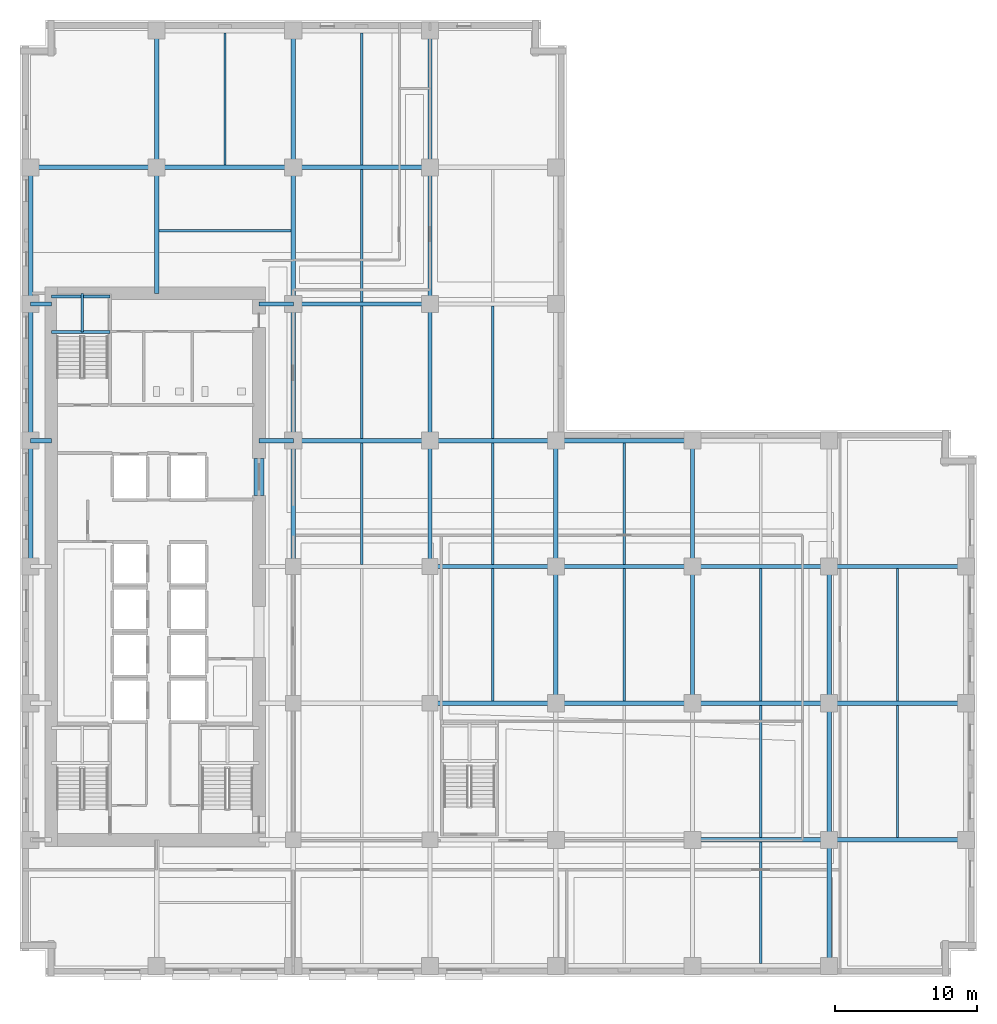
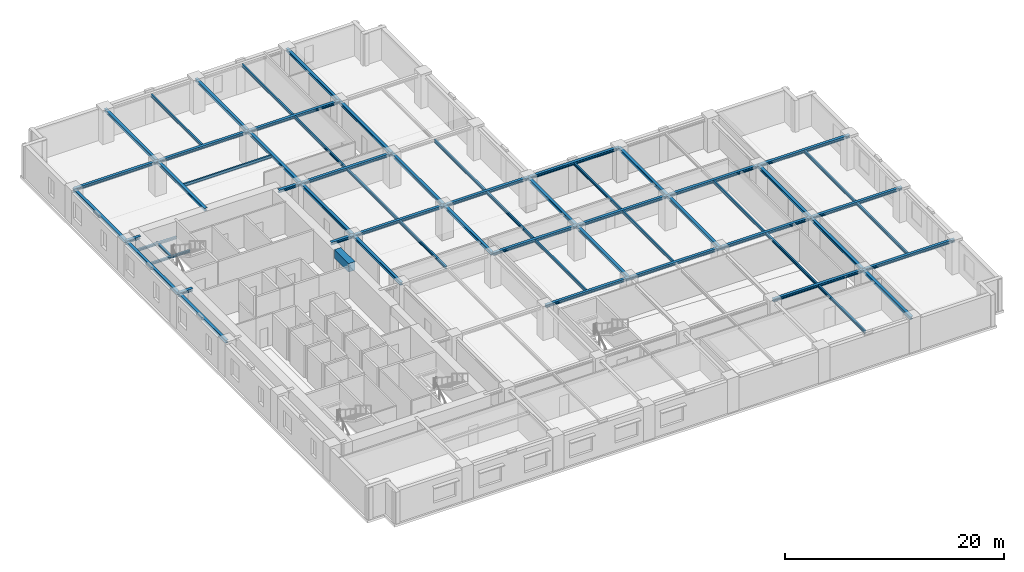
# One storey, part 2 of 14: 61 beams.
"""IFC4 building model written with IfcOpenShell, lengths in metres."""

from ifc_helpers import new_model, si_unit, direction, frame, origin, origin_2d, place, context, subcontext, project, spatial, rectangle, i_section, extrude, material, material_profile, profile_set, type_object, element, save


model = new_model("IFC4")

# Units and contexts
model_context = context("Model", 3, precision=1e-05, world=origin(), true_north=direction((0.0, 1.0)))
body_context = subcontext(model_context, "Body", "Model", "MODEL_VIEW")
ifc_project = project(units=[si_unit("LENGTHUNIT", "METRE"), si_unit("AREAUNIT", "SQUARE_METRE"), si_unit("VOLUMEUNIT", "CUBIC_METRE"), si_unit("PLANEANGLEUNIT", "RADIAN"), si_unit("MASSUNIT", "GRAM", prefix="KILO")], contexts=[model_context])

# Site, building, storey
site_placement = place(None, origin())
site = spatial("IfcSite", under=ifc_project, at=site_placement, CompositionType="ELEMENT")
building_placement = place(site_placement, origin())
building = spatial("IfcBuilding", under=site, at=building_placement, Name="Norrvale University Quadrangle", CompositionType="ELEMENT")
storey_placement = place(building_placement, frame((0.0, 0.0, 50.800048828125)))
storey = spatial("IfcBuildingStorey", under=building, at=storey_placement, Name="L12", CompositionType="ELEMENT", Elevation=50.800048828125)

# Beams
ifc_material_1 = material(Name="Steel 350W", Category="steel")
ifc_material_profile_1 = material_profile(ifc_material_1, i_section(OverallWidth=0.1669921875, OverallDepth=0.31689453125, WebThickness=0.007568359375, FlangeThickness=0.01318359375, FilletRadius=0.010009765625, at=origin_2d()), Name="Steel 350W")
ifc_profile_set_1 = profile_set([ifc_material_profile_1], Name="Steel 350W")
beam_type_1 = type_object("IfcBeamType", Name="Beam Canopy Purlin W310x52", PredefinedType="USERDEFINED", material=ifc_profile_set_1)
beam_1_placement = place(storey_placement, frame((14.39990234375, 57.00244140625, 3.38134765625), z_axis=(0.0, 1.0, 0.0), x_axis=(-1.0, 0.0, 0.0)))
element("IfcBeam", 1, at=beam_1_placement, inside=storey, type_object=beam_type_1, Name="Beam Canopy Purlin W310x52 BM-L12-J079", ObjectType="PURLIN", PredefinedType="USERDEFINED", context=body_context, shape_type="SweptSolid", body=[
    extrude(i_section(OverallWidth=0.1669921875, OverallDepth=0.31689453125, WebThickness=0.007568359375, FlangeThickness=0.01318359375, FilletRadius=0.010009765625, at=origin_2d()), origin(), (0.0, 0.0, 1.0), 9.295166015625),
])
beam_2_placement = place(storey_placement, frame((24.0, 28.952392578125, 3.38134765625), z_axis=(0.0, 1.0, 0.0), x_axis=(-1.0, 0.0, 0.0)))
element("IfcBeam", 2, at=beam_2_placement, inside=storey, type_object=beam_type_1, Name="Beam Canopy Purlin W310x52 BM-L12-J083", ObjectType="PURLIN", PredefinedType="USERDEFINED", context=body_context, shape_type="SweptSolid", body=[
    extrude(i_section(OverallWidth=0.1669921875, OverallDepth=0.31689453125, WebThickness=0.007568359375, FlangeThickness=0.01318359375, FilletRadius=0.010009765625, at=origin_2d()), origin(), (0.0, 0.0, 1.0), 8.545166015625),
])
for number, where, z_axis, x_axis, name in (
    (3, (24.0, 37.802490234375, 3.38134765625), (0.0, 1.0, 0.0), (-1.0, 0.0, 0.0), "Beam Canopy Purlin W310x52 BM-L12-J084"),
    (4, (24.0, 47.402587890625, 3.38134765625), (0.0, 1.0, 0.0), (-1.0, 0.0, 0.0), "Beam Canopy Purlin W310x52 BM-L12-J085"),
):
    element("IfcBeam", number, at=place(storey_placement, frame(where, z_axis=z_axis, x_axis=x_axis)), inside=storey, type_object=beam_type_1, Name=name, ObjectType="PURLIN", PredefinedType="USERDEFINED", context=body_context, shape_type="SweptSolid", body=[
        extrude(i_section(OverallWidth=0.1669921875, OverallDepth=0.31689453125, WebThickness=0.007568359375, FlangeThickness=0.01318359375, FilletRadius=0.010009765625, at=origin_2d()), origin(), (0.0, 0.0, 1.0), 9.294921875),
    ])
beam_3_placement = place(storey_placement, frame((24.0, 57.00244140625, 3.38134765625), z_axis=(0.0, 1.0, 0.0), x_axis=(-1.0, 0.0, 0.0)))
element("IfcBeam", 5, at=beam_3_placement, inside=storey, type_object=beam_type_1, Name="Beam Canopy Purlin W310x52 BM-L12-J086", ObjectType="PURLIN", PredefinedType="USERDEFINED", context=body_context, shape_type="SweptSolid", body=[
    extrude(i_section(OverallWidth=0.1669921875, OverallDepth=0.31689453125, WebThickness=0.007568359375, FlangeThickness=0.01318359375, FilletRadius=0.010009765625, at=origin_2d()), origin(), (0.0, 0.0, 1.0), 9.295166015625),
])
beam_4_placement = place(storey_placement, frame((33.22509765625, 19.3525390625, 3.38134765625), z_axis=(0.0, 1.0, 0.0), x_axis=(-1.0, 0.0, 0.0)))
element("IfcBeam", 6, at=beam_4_placement, inside=storey, type_object=beam_type_1, Name="Beam Canopy Purlin W310x52 BM-L12-J088", ObjectType="PURLIN", PredefinedType="USERDEFINED", context=body_context, shape_type="SweptSolid", body=[
    extrude(i_section(OverallWidth=0.1669921875, OverallDepth=0.31689453125, WebThickness=0.007568359375, FlangeThickness=0.01318359375, FilletRadius=0.010009765625, at=origin_2d()), origin(), (0.0, 0.0, 1.0), 9.294921875),
])
beam_5_placement = place(storey_placement, frame((33.22509765625, 28.952392578125, 3.38134765625), z_axis=(0.0, 1.0, 0.0), x_axis=(-1.0, 0.0, 0.0)))
element("IfcBeam", 7, at=beam_5_placement, inside=storey, type_object=beam_type_1, Name="Beam Canopy Purlin W310x52 BM-L12-J089", ObjectType="PURLIN", PredefinedType="USERDEFINED", context=body_context, shape_type="SweptSolid", body=[
    extrude(i_section(OverallWidth=0.1669921875, OverallDepth=0.31689453125, WebThickness=0.007568359375, FlangeThickness=0.01318359375, FilletRadius=0.010009765625, at=origin_2d()), origin(), (0.0, 0.0, 1.0), 8.545166015625),
])
for number, where, z_axis, x_axis, name in (
    (8, (33.22509765625, 37.802490234375, 3.38134765625), (0.0, 1.0, 0.0), (-1.0, 0.0, 0.0), "Beam Canopy Purlin W310x52 BM-L12-J090"),
    (9, (42.449951171875, 19.3525390625, 3.38134765625), (0.0, 1.0, 0.0), (-1.0, 0.0, 0.0), "Beam Canopy Purlin W310x52 BM-L12-J094"),
):
    element("IfcBeam", number, at=place(storey_placement, frame(where, z_axis=z_axis, x_axis=x_axis)), inside=storey, type_object=beam_type_1, Name=name, ObjectType="PURLIN", PredefinedType="USERDEFINED", context=body_context, shape_type="SweptSolid", body=[
        extrude(i_section(OverallWidth=0.1669921875, OverallDepth=0.31689453125, WebThickness=0.007568359375, FlangeThickness=0.01318359375, FilletRadius=0.010009765625, at=origin_2d()), origin(), (0.0, 0.0, 1.0), 9.294921875),
    ])
beam_6_placement = place(storey_placement, frame((42.449951171875, 28.952392578125, 3.38134765625), z_axis=(0.0, 1.0, 0.0), x_axis=(-1.0, 0.0, 0.0)))
element("IfcBeam", 10, at=beam_6_placement, inside=storey, type_object=beam_type_1, Name="Beam Canopy Purlin W310x52 BM-L12-J095", ObjectType="PURLIN", PredefinedType="USERDEFINED", context=body_context, shape_type="SweptSolid", body=[
    extrude(i_section(OverallWidth=0.1669921875, OverallDepth=0.31689453125, WebThickness=0.007568359375, FlangeThickness=0.01318359375, FilletRadius=0.010009765625, at=origin_2d()), origin(), (0.0, 0.0, 1.0), 8.545166015625),
])
beam_7_placement = place(storey_placement, frame((52.050048828125, 0.902587890625, 3.38134765625), z_axis=(0.0, 1.0, 0.0), x_axis=(-1.0, 0.0, 0.0)))
element("IfcBeam", 11, at=beam_7_placement, inside=storey, type_object=beam_type_1, Name="Beam Canopy Purlin W310x52 BM-L12-J096", ObjectType="PURLIN", PredefinedType="USERDEFINED", context=body_context, shape_type="SweptSolid", body=[
    extrude(i_section(OverallWidth=0.1669921875, OverallDepth=0.31689453125, WebThickness=0.007568359375, FlangeThickness=0.01318359375, FilletRadius=0.010009765625, at=origin_2d()), origin(), (0.0, 0.0, 1.0), 8.544921875),
])
beam_8_placement = place(storey_placement, frame((52.050048828125, 9.75244140625, 3.38134765625), z_axis=(0.0, 1.0, 0.0), x_axis=(-1.0, 0.0, 0.0)))
element("IfcBeam", 12, at=beam_8_placement, inside=storey, type_object=beam_type_1, Name="Beam Canopy Purlin W310x52 BM-L12-J097", ObjectType="PURLIN", PredefinedType="USERDEFINED", context=body_context, shape_type="SweptSolid", body=[
    extrude(i_section(OverallWidth=0.1669921875, OverallDepth=0.31689453125, WebThickness=0.007568359375, FlangeThickness=0.01318359375, FilletRadius=0.010009765625, at=origin_2d()), origin(), (0.0, 0.0, 1.0), 9.295166015625),
])
beam_9_placement = place(storey_placement, frame((52.050048828125, 19.3525390625, 3.38134765625), z_axis=(0.0, 1.0, 0.0), x_axis=(-1.0, 0.0, 0.0)))
element("IfcBeam", 13, at=beam_9_placement, inside=storey, type_object=beam_type_1, Name="Beam Canopy Purlin W310x52 BM-L12-J098", ObjectType="PURLIN", PredefinedType="USERDEFINED", context=body_context, shape_type="SweptSolid", body=[
    extrude(i_section(OverallWidth=0.1669921875, OverallDepth=0.31689453125, WebThickness=0.007568359375, FlangeThickness=0.01318359375, FilletRadius=0.010009765625, at=origin_2d()), origin(), (0.0, 0.0, 1.0), 9.294921875),
])
beam_10_placement = place(storey_placement, frame((61.64990234375, 9.75244140625, 3.38134765625), z_axis=(0.0, 1.0, 0.0), x_axis=(-1.0, 0.0, 0.0)))
element("IfcBeam", 14, at=beam_10_placement, inside=storey, type_object=beam_type_1, Name="Beam Canopy Purlin W310x52 BM-L12-J100", ObjectType="PURLIN", PredefinedType="USERDEFINED", context=body_context, shape_type="SweptSolid", body=[
    extrude(i_section(OverallWidth=0.1669921875, OverallDepth=0.31689453125, WebThickness=0.007568359375, FlangeThickness=0.01318359375, FilletRadius=0.010009765625, at=origin_2d()), origin(), (0.0, 0.0, 1.0), 9.295166015625),
])
beam_11_placement = place(storey_placement, frame((61.64990234375, 19.3525390625, 3.38134765625), z_axis=(0.0, 1.0, 0.0), x_axis=(-1.0, 0.0, 0.0)))
element("IfcBeam", 15, at=beam_11_placement, inside=storey, type_object=beam_type_1, Name="Beam Canopy Purlin W310x52 BM-L12-J101", ObjectType="PURLIN", PredefinedType="USERDEFINED", context=body_context, shape_type="SweptSolid", body=[
    extrude(i_section(OverallWidth=0.1669921875, OverallDepth=0.31689453125, WebThickness=0.007568359375, FlangeThickness=0.01318359375, FilletRadius=0.010009765625, at=origin_2d()), origin(), (0.0, 0.0, 1.0), 9.294921875),
])
beam_12_placement = place(storey_placement, frame((9.75244140625, 52.39990234375, 3.38134765625), z_axis=(1.0, 0.0, 0.0), x_axis=(0.0, 1.0, 0.0)))
element("IfcBeam", 16, at=beam_12_placement, inside=storey, type_object=beam_type_1, Name="Beam Canopy Purlin W310x52 BM-L12-JCN105", ObjectType="PURLIN", PredefinedType="USERDEFINED", context=body_context, shape_type="SweptSolid", body=[
    extrude(i_section(OverallWidth=0.1669921875, OverallDepth=0.31689453125, WebThickness=0.007568359375, FlangeThickness=0.01318359375, FilletRadius=0.010009765625, at=origin_2d()), origin(), (0.0, 0.0, 1.0), 9.295166015625),
])
ifc_material_profile_2 = material_profile(ifc_material_1, i_section(OverallWidth=0.304931640625, OverallDepth=0.30810546875, WebThickness=0.010009765625, FlangeThickness=0.015380859375, FilletRadius=0.014892578125, at=origin_2d()), Name="Steel 350W")
ifc_profile_set_2 = profile_set([ifc_material_profile_2], Name="Steel 350W")
beam_type_2 = type_object("IfcBeamType", Name="Beam Canopy W310x97", PredefinedType="BEAM", material=ifc_profile_set_2)
beam_13_placement = place(storey_placement, frame((47.25, 9.60009765625, 3.385986328125), z_axis=(1.0, 0.0, 0.0), x_axis=(0.0, 1.0, 0.0)))
element("IfcBeam", 17, at=beam_13_placement, inside=storey, type_object=beam_type_2, Name="Beam Canopy W310x97 BM-L12-GX009", PredefinedType="BEAM", context=body_context, shape_type="SweptSolid", body=[
    extrude(i_section(OverallWidth=0.304931640625, OverallDepth=0.30810546875, WebThickness=0.010009765625, FlangeThickness=0.015380859375, FilletRadius=0.014892578125, at=origin_2d()), origin(), (0.0, 0.0, 1.0), 9.60009765625),
])
beam_14_placement = place(storey_placement, frame((56.85009765625, 9.60009765625, 3.385986328125), z_axis=(1.0, 0.0, 0.0), x_axis=(0.0, 1.0, 0.0)))
element("IfcBeam", 18, at=beam_14_placement, inside=storey, type_object=beam_type_2, Name="Beam Canopy W310x97 BM-L12-GX010", PredefinedType="BEAM", context=body_context, shape_type="SweptSolid", body=[
    extrude(i_section(OverallWidth=0.304931640625, OverallDepth=0.30810546875, WebThickness=0.010009765625, FlangeThickness=0.015380859375, FilletRadius=0.014892578125, at=origin_2d()), origin(), (0.0, 0.0, 1.0), 9.599853515625),
])
beam_15_placement = place(storey_placement, frame((28.800048828125, 19.199951171875, 3.385986328125), z_axis=(1.0, 0.0, 0.0), x_axis=(0.0, 1.0, 0.0)))
element("IfcBeam", 19, at=beam_15_placement, inside=storey, type_object=beam_type_2, Name="Beam Canopy W310x97 BM-L12-GX012", PredefinedType="BEAM", context=body_context, shape_type="SweptSolid", body=[
    extrude(i_section(OverallWidth=0.304931640625, OverallDepth=0.30810546875, WebThickness=0.010009765625, FlangeThickness=0.015380859375, FilletRadius=0.014892578125, at=origin_2d()), origin(), (0.0, 0.0, 1.0), 8.849853515625),
])
for number, where, z_axis, x_axis, name in (
    (20, (37.64990234375, 19.199951171875, 3.385986328125), (1.0, 0.0, 0.0), (0.0, 1.0, 0.0), "Beam Canopy W310x97 BM-L12-GX013"),
    (21, (47.25, 19.199951171875, 3.385986328125), (1.0, 0.0, 0.0), (0.0, 1.0, 0.0), "Beam Canopy W310x97 BM-L12-GX014"),
):
    element("IfcBeam", number, at=place(storey_placement, frame(where, z_axis=z_axis, x_axis=x_axis)), inside=storey, type_object=beam_type_2, Name=name, PredefinedType="BEAM", context=body_context, shape_type="SweptSolid", body=[
        extrude(i_section(OverallWidth=0.304931640625, OverallDepth=0.30810546875, WebThickness=0.010009765625, FlangeThickness=0.015380859375, FilletRadius=0.014892578125, at=origin_2d()), origin(), (0.0, 0.0, 1.0), 9.60009765625),
    ])
beam_16_placement = place(storey_placement, frame((56.85009765625, 19.199951171875, 3.385986328125), z_axis=(1.0, 0.0, 0.0), x_axis=(0.0, 1.0, 0.0)))
element("IfcBeam", 22, at=beam_16_placement, inside=storey, type_object=beam_type_2, Name="Beam Canopy W310x97 BM-L12-GX015", PredefinedType="BEAM", context=body_context, shape_type="SweptSolid", body=[
    extrude(i_section(OverallWidth=0.304931640625, OverallDepth=0.30810546875, WebThickness=0.010009765625, FlangeThickness=0.015380859375, FilletRadius=0.014892578125, at=origin_2d()), origin(), (0.0, 0.0, 1.0), 9.599853515625),
])
beam_17_placement = place(storey_placement, frame((28.800048828125, 28.800048828125, 3.385986328125), z_axis=(1.0, 0.0, 0.0), x_axis=(0.0, 1.0, 0.0)))
element("IfcBeam", 23, at=beam_17_placement, inside=storey, type_object=beam_type_2, Name="Beam Canopy W310x97 BM-L12-GX017", PredefinedType="BEAM", context=body_context, shape_type="SweptSolid", body=[
    extrude(i_section(OverallWidth=0.304931640625, OverallDepth=0.30810546875, WebThickness=0.010009765625, FlangeThickness=0.015380859375, FilletRadius=0.014892578125, at=origin_2d()), origin(), (0.0, 0.0, 1.0), 8.849853515625),
])
for number, where, z_axis, x_axis, name in (
    (24, (37.64990234375, 28.800048828125, 3.385986328125), (1.0, 0.0, 0.0), (0.0, 1.0, 0.0), "Beam Canopy W310x97 BM-L12-GX018"),
    (25, (47.25, 28.800048828125, 3.385986328125), (1.0, 0.0, 0.0), (0.0, 1.0, 0.0), "Beam Canopy W310x97 BM-L12-GX019"),
):
    element("IfcBeam", number, at=place(storey_placement, frame(where, z_axis=z_axis, x_axis=x_axis)), inside=storey, type_object=beam_type_2, Name=name, PredefinedType="BEAM", context=body_context, shape_type="SweptSolid", body=[
        extrude(i_section(OverallWidth=0.304931640625, OverallDepth=0.30810546875, WebThickness=0.010009765625, FlangeThickness=0.015380859375, FilletRadius=0.014892578125, at=origin_2d()), origin(), (0.0, 0.0, 1.0), 9.60009765625),
    ])
beam_18_placement = place(storey_placement, frame((56.85009765625, 28.800048828125, 3.385986328125), z_axis=(1.0, 0.0, 0.0), x_axis=(0.0, 1.0, 0.0)))
element("IfcBeam", 26, at=beam_18_placement, inside=storey, type_object=beam_type_2, Name="Beam Canopy W310x97 BM-L12-GX020", PredefinedType="BEAM", context=body_context, shape_type="SweptSolid", body=[
    extrude(i_section(OverallWidth=0.304931640625, OverallDepth=0.30810546875, WebThickness=0.010009765625, FlangeThickness=0.015380859375, FilletRadius=0.014892578125, at=origin_2d()), origin(), (0.0, 0.0, 1.0), 9.599853515625),
])
beam_19_placement = place(storey_placement, frame((19.199951171875, 37.64990234375, 3.385986328125), z_axis=(1.0, 0.0, 0.0), x_axis=(0.0, 1.0, 0.0)))
element("IfcBeam", 27, at=beam_19_placement, inside=storey, type_object=beam_type_2, Name="Beam Canopy W310x97 BM-L12-GX021", PredefinedType="BEAM", context=body_context, shape_type="SweptSolid", body=[
    extrude(i_section(OverallWidth=0.304931640625, OverallDepth=0.30810546875, WebThickness=0.010009765625, FlangeThickness=0.015380859375, FilletRadius=0.014892578125, at=origin_2d()), origin(), (0.0, 0.0, 1.0), 9.60009765625),
])
beam_20_placement = place(storey_placement, frame((28.800048828125, 37.64990234375, 3.385986328125), z_axis=(1.0, 0.0, 0.0), x_axis=(0.0, 1.0, 0.0)))
element("IfcBeam", 28, at=beam_20_placement, inside=storey, type_object=beam_type_2, Name="Beam Canopy W310x97 BM-L12-GX022", PredefinedType="BEAM", context=body_context, shape_type="SweptSolid", body=[
    extrude(i_section(OverallWidth=0.304931640625, OverallDepth=0.30810546875, WebThickness=0.010009765625, FlangeThickness=0.015380859375, FilletRadius=0.014892578125, at=origin_2d()), origin(), (0.0, 0.0, 1.0), 8.849853515625),
])
for number, where, z_axis, x_axis, name in (
    (29, (37.64990234375, 37.64990234375, 3.385986328125), (1.0, 0.0, 0.0), (0.0, 1.0, 0.0), "Beam Canopy W310x97 BM-L12-GX023"),
    (30, (19.199951171875, 47.25, 3.385986328125), (1.0, 0.0, 0.0), (0.0, 1.0, 0.0), "Beam Canopy W310x97 BM-L12-GX025"),
):
    element("IfcBeam", number, at=place(storey_placement, frame(where, z_axis=z_axis, x_axis=x_axis)), inside=storey, type_object=beam_type_2, Name=name, PredefinedType="BEAM", context=body_context, shape_type="SweptSolid", body=[
        extrude(i_section(OverallWidth=0.304931640625, OverallDepth=0.30810546875, WebThickness=0.010009765625, FlangeThickness=0.015380859375, FilletRadius=0.014892578125, at=origin_2d()), origin(), (0.0, 0.0, 1.0), 9.60009765625),
    ])
beam_21_placement = place(storey_placement, frame((0.75, 56.85009765625, 3.385986328125), z_axis=(1.0, 0.0, 0.0), x_axis=(0.0, 1.0, 0.0)))
element("IfcBeam", 31, at=beam_21_placement, inside=storey, type_object=beam_type_2, Name="Beam Canopy W310x97 BM-L12-GX027", PredefinedType="BEAM", context=body_context, shape_type="SweptSolid", body=[
    extrude(i_section(OverallWidth=0.304931640625, OverallDepth=0.30810546875, WebThickness=0.010009765625, FlangeThickness=0.015380859375, FilletRadius=0.014892578125, at=origin_2d()), origin(), (0.0, 0.0, 1.0), 8.85009765625),
])
beam_22_placement = place(storey_placement, frame((9.60009765625, 56.85009765625, 3.385986328125), z_axis=(1.0, 0.0, 0.0), x_axis=(0.0, 1.0, 0.0)))
element("IfcBeam", 32, at=beam_22_placement, inside=storey, type_object=beam_type_2, Name="Beam Canopy W310x97 BM-L12-GX028", PredefinedType="BEAM", context=body_context, shape_type="SweptSolid", body=[
    extrude(i_section(OverallWidth=0.304931640625, OverallDepth=0.30810546875, WebThickness=0.010009765625, FlangeThickness=0.015380859375, FilletRadius=0.014892578125, at=origin_2d()), origin(), (0.0, 0.0, 1.0), 9.599853515625),
])
beam_23_placement = place(storey_placement, frame((19.199951171875, 56.85009765625, 3.385986328125), z_axis=(1.0, 0.0, 0.0), x_axis=(0.0, 1.0, 0.0)))
element("IfcBeam", 33, at=beam_23_placement, inside=storey, type_object=beam_type_2, Name="Beam Canopy W310x97 BM-L12-GX029", PredefinedType="BEAM", context=body_context, shape_type="SweptSolid", body=[
    extrude(i_section(OverallWidth=0.304931640625, OverallDepth=0.30810546875, WebThickness=0.010009765625, FlangeThickness=0.015380859375, FilletRadius=0.014892578125, at=origin_2d()), origin(), (0.0, 0.0, 1.0), 9.60009765625),
])
beam_24_placement = place(storey_placement, frame((0.75, 28.800048828125, 3.385986328125), z_axis=(0.0, 1.0, 0.0), x_axis=(-1.0, 0.0, 0.0)))
element("IfcBeam", 34, at=beam_24_placement, inside=storey, type_object=beam_type_2, Name="Beam Canopy W310x97 BM-L12-GY035", PredefinedType="BEAM", context=body_context, shape_type="SweptSolid", body=[
    extrude(i_section(OverallWidth=0.304931640625, OverallDepth=0.30810546875, WebThickness=0.010009765625, FlangeThickness=0.015380859375, FilletRadius=0.014892578125, at=origin_2d()), origin(), (0.0, 0.0, 1.0), 8.849853515625),
])
for number, where, z_axis, x_axis, name in (
    (35, (0.75, 37.64990234375, 3.385986328125), (0.0, 1.0, 0.0), (-1.0, 0.0, 0.0), "Beam Canopy W310x97 BM-L12-GY036"),
    (36, (0.75, 47.25, 3.385986328125), (0.0, 1.0, 0.0), (-1.0, 0.0, 0.0), "Beam Canopy W310x97 BM-L12-GY037"),
):
    element("IfcBeam", number, at=place(storey_placement, frame(where, z_axis=z_axis, x_axis=x_axis)), inside=storey, type_object=beam_type_2, Name=name, PredefinedType="BEAM", context=body_context, shape_type="SweptSolid", body=[
        extrude(i_section(OverallWidth=0.304931640625, OverallDepth=0.30810546875, WebThickness=0.010009765625, FlangeThickness=0.015380859375, FilletRadius=0.014892578125, at=origin_2d()), origin(), (0.0, 0.0, 1.0), 9.60009765625),
    ])
beam_25_placement = place(storey_placement, frame((9.60009765625, 56.85009765625, 3.385986328125), z_axis=(0.0, 1.0, 0.0), x_axis=(-1.0, 0.0, 0.0)))
element("IfcBeam", 37, at=beam_25_placement, inside=storey, type_object=beam_type_2, Name="Beam Canopy W310x97 BM-L12-GY038", PredefinedType="BEAM", context=body_context, shape_type="SweptSolid", body=[
    extrude(i_section(OverallWidth=0.304931640625, OverallDepth=0.30810546875, WebThickness=0.010009765625, FlangeThickness=0.015380859375, FilletRadius=0.014892578125, at=origin_2d()), origin(), (0.0, 0.0, 1.0), 9.599853515625),
])
beam_26_placement = place(storey_placement, frame((19.199951171875, 28.800048828125, 3.385986328125), z_axis=(0.0, 1.0, 0.0), x_axis=(-1.0, 0.0, 0.0)))
element("IfcBeam", 38, at=beam_26_placement, inside=storey, type_object=beam_type_2, Name="Beam Canopy W310x97 BM-L12-GY042", PredefinedType="BEAM", context=body_context, shape_type="SweptSolid", body=[
    extrude(i_section(OverallWidth=0.304931640625, OverallDepth=0.30810546875, WebThickness=0.010009765625, FlangeThickness=0.015380859375, FilletRadius=0.014892578125, at=origin_2d()), origin(), (0.0, 0.0, 1.0), 8.849853515625),
])
for number, where, z_axis, x_axis, name in (
    (39, (19.199951171875, 37.64990234375, 3.385986328125), (0.0, 1.0, 0.0), (-1.0, 0.0, 0.0), "Beam Canopy W310x97 BM-L12-GY043"),
    (40, (19.199951171875, 47.25, 3.385986328125), (0.0, 1.0, 0.0), (-1.0, 0.0, 0.0), "Beam Canopy W310x97 BM-L12-GY044"),
):
    element("IfcBeam", number, at=place(storey_placement, frame(where, z_axis=z_axis, x_axis=x_axis)), inside=storey, type_object=beam_type_2, Name=name, PredefinedType="BEAM", context=body_context, shape_type="SweptSolid", body=[
        extrude(i_section(OverallWidth=0.304931640625, OverallDepth=0.30810546875, WebThickness=0.010009765625, FlangeThickness=0.015380859375, FilletRadius=0.014892578125, at=origin_2d()), origin(), (0.0, 0.0, 1.0), 9.60009765625),
    ])
beam_27_placement = place(storey_placement, frame((19.199951171875, 56.85009765625, 3.385986328125), z_axis=(0.0, 1.0, 0.0), x_axis=(-1.0, 0.0, 0.0)))
element("IfcBeam", 41, at=beam_27_placement, inside=storey, type_object=beam_type_2, Name="Beam Canopy W310x97 BM-L12-GY045", PredefinedType="BEAM", context=body_context, shape_type="SweptSolid", body=[
    extrude(i_section(OverallWidth=0.304931640625, OverallDepth=0.30810546875, WebThickness=0.010009765625, FlangeThickness=0.015380859375, FilletRadius=0.014892578125, at=origin_2d()), origin(), (0.0, 0.0, 1.0), 9.599853515625),
])
beam_28_placement = place(storey_placement, frame((28.800048828125, 28.800048828125, 3.385986328125), z_axis=(0.0, 1.0, 0.0), x_axis=(-1.0, 0.0, 0.0)))
element("IfcBeam", 42, at=beam_28_placement, inside=storey, type_object=beam_type_2, Name="Beam Canopy W310x97 BM-L12-GY049", PredefinedType="BEAM", context=body_context, shape_type="SweptSolid", body=[
    extrude(i_section(OverallWidth=0.304931640625, OverallDepth=0.30810546875, WebThickness=0.010009765625, FlangeThickness=0.015380859375, FilletRadius=0.014892578125, at=origin_2d()), origin(), (0.0, 0.0, 1.0), 8.849853515625),
])
for number, where, z_axis, x_axis, name in (
    (43, (28.800048828125, 37.64990234375, 3.385986328125), (0.0, 1.0, 0.0), (-1.0, 0.0, 0.0), "Beam Canopy W310x97 BM-L12-GY050"),
    (44, (28.800048828125, 47.25, 3.385986328125), (0.0, 1.0, 0.0), (-1.0, 0.0, 0.0), "Beam Canopy W310x97 BM-L12-GY051"),
):
    element("IfcBeam", number, at=place(storey_placement, frame(where, z_axis=z_axis, x_axis=x_axis)), inside=storey, type_object=beam_type_2, Name=name, PredefinedType="BEAM", context=body_context, shape_type="SweptSolid", body=[
        extrude(i_section(OverallWidth=0.304931640625, OverallDepth=0.30810546875, WebThickness=0.010009765625, FlangeThickness=0.015380859375, FilletRadius=0.014892578125, at=origin_2d()), origin(), (0.0, 0.0, 1.0), 9.60009765625),
    ])
beam_29_placement = place(storey_placement, frame((28.800048828125, 56.85009765625, 3.385986328125), z_axis=(0.0, 1.0, 0.0), x_axis=(-1.0, 0.0, 0.0)))
element("IfcBeam", 45, at=beam_29_placement, inside=storey, type_object=beam_type_2, Name="Beam Canopy W310x97 BM-L12-GY052", PredefinedType="BEAM", context=body_context, shape_type="SweptSolid", body=[
    extrude(i_section(OverallWidth=0.304931640625, OverallDepth=0.30810546875, WebThickness=0.010009765625, FlangeThickness=0.015380859375, FilletRadius=0.014892578125, at=origin_2d()), origin(), (0.0, 0.0, 1.0), 9.599853515625),
])
beam_30_placement = place(storey_placement, frame((37.64990234375, 19.199951171875, 3.385986328125), z_axis=(0.0, 1.0, 0.0), x_axis=(-1.0, 0.0, 0.0)))
element("IfcBeam", 46, at=beam_30_placement, inside=storey, type_object=beam_type_2, Name="Beam Canopy W310x97 BM-L12-GY055", PredefinedType="BEAM", context=body_context, shape_type="SweptSolid", body=[
    extrude(i_section(OverallWidth=0.304931640625, OverallDepth=0.30810546875, WebThickness=0.010009765625, FlangeThickness=0.015380859375, FilletRadius=0.014892578125, at=origin_2d()), origin(), (0.0, 0.0, 1.0), 9.60009765625),
])
beam_31_placement = place(storey_placement, frame((37.64990234375, 28.800048828125, 3.385986328125), z_axis=(0.0, 1.0, 0.0), x_axis=(-1.0, 0.0, 0.0)))
element("IfcBeam", 47, at=beam_31_placement, inside=storey, type_object=beam_type_2, Name="Beam Canopy W310x97 BM-L12-GY056", PredefinedType="BEAM", context=body_context, shape_type="SweptSolid", body=[
    extrude(i_section(OverallWidth=0.304931640625, OverallDepth=0.30810546875, WebThickness=0.010009765625, FlangeThickness=0.015380859375, FilletRadius=0.014892578125, at=origin_2d()), origin(), (0.0, 0.0, 1.0), 8.849853515625),
])
beam_32_placement = place(storey_placement, frame((47.25, 19.199951171875, 3.385986328125), z_axis=(0.0, 1.0, 0.0), x_axis=(-1.0, 0.0, 0.0)))
element("IfcBeam", 48, at=beam_32_placement, inside=storey, type_object=beam_type_2, Name="Beam Canopy W310x97 BM-L12-GY061", PredefinedType="BEAM", context=body_context, shape_type="SweptSolid", body=[
    extrude(i_section(OverallWidth=0.304931640625, OverallDepth=0.30810546875, WebThickness=0.010009765625, FlangeThickness=0.015380859375, FilletRadius=0.014892578125, at=origin_2d()), origin(), (0.0, 0.0, 1.0), 9.60009765625),
])
beam_33_placement = place(storey_placement, frame((47.25, 28.800048828125, 3.385986328125), z_axis=(0.0, 1.0, 0.0), x_axis=(-1.0, 0.0, 0.0)))
element("IfcBeam", 49, at=beam_33_placement, inside=storey, type_object=beam_type_2, Name="Beam Canopy W310x97 BM-L12-GY062", PredefinedType="BEAM", context=body_context, shape_type="SweptSolid", body=[
    extrude(i_section(OverallWidth=0.304931640625, OverallDepth=0.30810546875, WebThickness=0.010009765625, FlangeThickness=0.015380859375, FilletRadius=0.014892578125, at=origin_2d()), origin(), (0.0, 0.0, 1.0), 8.849853515625),
])
beam_34_placement = place(storey_placement, frame((56.85009765625, 0.75, 3.385986328125), z_axis=(0.0, 1.0, 0.0), x_axis=(-1.0, 0.0, 0.0)))
element("IfcBeam", 50, at=beam_34_placement, inside=storey, type_object=beam_type_2, Name="Beam Canopy W310x97 BM-L12-GY063", PredefinedType="BEAM", context=body_context, shape_type="SweptSolid", body=[
    extrude(i_section(OverallWidth=0.304931640625, OverallDepth=0.30810546875, WebThickness=0.010009765625, FlangeThickness=0.015380859375, FilletRadius=0.014892578125, at=origin_2d()), origin(), (0.0, 0.0, 1.0), 8.85009765625),
])
beam_35_placement = place(storey_placement, frame((56.85009765625, 9.60009765625, 3.385986328125), z_axis=(0.0, 1.0, 0.0), x_axis=(-1.0, 0.0, 0.0)))
element("IfcBeam", 51, at=beam_35_placement, inside=storey, type_object=beam_type_2, Name="Beam Canopy W310x97 BM-L12-GY064", PredefinedType="BEAM", context=body_context, shape_type="SweptSolid", body=[
    extrude(i_section(OverallWidth=0.304931640625, OverallDepth=0.30810546875, WebThickness=0.010009765625, FlangeThickness=0.015380859375, FilletRadius=0.014892578125, at=origin_2d()), origin(), (0.0, 0.0, 1.0), 9.599853515625),
])
beam_36_placement = place(storey_placement, frame((56.85009765625, 19.199951171875, 3.385986328125), z_axis=(0.0, 1.0, 0.0), x_axis=(-1.0, 0.0, 0.0)))
element("IfcBeam", 52, at=beam_36_placement, inside=storey, type_object=beam_type_2, Name="Beam Canopy W310x97 BM-L12-GY065", PredefinedType="BEAM", context=body_context, shape_type="SweptSolid", body=[
    extrude(i_section(OverallWidth=0.304931640625, OverallDepth=0.30810546875, WebThickness=0.010009765625, FlangeThickness=0.015380859375, FilletRadius=0.014892578125, at=origin_2d()), origin(), (0.0, 0.0, 1.0), 9.60009765625),
])
beam_37_placement = place(storey_placement, frame((0.75, 37.64990234375, 3.385986328125), z_axis=(1.0, 0.0, 0.0), x_axis=(0.0, 1.0, 0.0)))
element("IfcBeam", 53, at=beam_37_placement, inside=storey, type_object=beam_type_2, Name="Beam Canopy W310x97 BM-L12-GCW075", PredefinedType="BEAM", context=body_context, shape_type="SweptSolid", body=[
    extrude(i_section(OverallWidth=0.304931640625, OverallDepth=0.30810546875, WebThickness=0.010009765625, FlangeThickness=0.015380859375, FilletRadius=0.014892578125, at=origin_2d()), origin(), (0.0, 0.0, 1.0), 1.449951171875),
])
beam_38_placement = place(storey_placement, frame((16.800048828125, 37.64990234375, 3.385986328125), z_axis=(1.0, 0.0, 0.0), x_axis=(0.0, 1.0, 0.0)))
element("IfcBeam", 54, at=beam_38_placement, inside=storey, type_object=beam_type_2, Name="Beam Canopy W310x97 BM-L12-GCE076", PredefinedType="BEAM", context=body_context, shape_type="SweptSolid", body=[
    extrude(i_section(OverallWidth=0.304931640625, OverallDepth=0.30810546875, WebThickness=0.010009765625, FlangeThickness=0.015380859375, FilletRadius=0.014892578125, at=origin_2d()), origin(), (0.0, 0.0, 1.0), 2.39990234375),
])
beam_39_placement = place(storey_placement, frame((0.75, 47.25, 3.385986328125), z_axis=(1.0, 0.0, 0.0), x_axis=(0.0, 1.0, 0.0)))
element("IfcBeam", 55, at=beam_39_placement, inside=storey, type_object=beam_type_2, Name="Beam Canopy W310x97 BM-L12-GCW077", PredefinedType="BEAM", context=body_context, shape_type="SweptSolid", body=[
    extrude(i_section(OverallWidth=0.304931640625, OverallDepth=0.30810546875, WebThickness=0.010009765625, FlangeThickness=0.015380859375, FilletRadius=0.014892578125, at=origin_2d()), origin(), (0.0, 0.0, 1.0), 1.449951171875),
])
beam_40_placement = place(storey_placement, frame((16.800048828125, 47.25, 3.385986328125), z_axis=(1.0, 0.0, 0.0), x_axis=(0.0, 1.0, 0.0)))
element("IfcBeam", 56, at=beam_40_placement, inside=storey, type_object=beam_type_2, Name="Beam Canopy W310x97 BM-L12-GCE078", PredefinedType="BEAM", context=body_context, shape_type="SweptSolid", body=[
    extrude(i_section(OverallWidth=0.304931640625, OverallDepth=0.30810546875, WebThickness=0.010009765625, FlangeThickness=0.015380859375, FilletRadius=0.014892578125, at=origin_2d()), origin(), (0.0, 0.0, 1.0), 2.39990234375),
])
beam_41_placement = place(storey_placement, frame((9.60009765625, 48.0, 3.385986328125), z_axis=(0.0, 1.0, 0.0), x_axis=(-1.0, 0.0, 0.0)))
element("IfcBeam", 57, at=beam_41_placement, inside=storey, type_object=beam_type_2, Name="Beam Canopy W310x97 BM-L12-GCN104", PredefinedType="BEAM", context=body_context, shape_type="SweptSolid", body=[
    extrude(i_section(OverallWidth=0.304931640625, OverallDepth=0.30810546875, WebThickness=0.010009765625, FlangeThickness=0.015380859375, FilletRadius=0.014892578125, at=origin_2d()), origin(), (0.0, 0.0, 1.0), 8.85009765625),
])
ifc_material_2 = material(Name="Concrete C80/95", Category="concrete")
ifc_material_profile_3 = material_profile(ifc_material_2, rectangle(XDim=0.699951171875, YDim=0.949951171875, at=origin_2d()), Name="Concrete C80/95")
ifc_profile_set_3 = profile_set([ifc_material_profile_3], Name="Concrete C80/95")
beam_type_3 = type_object("IfcBeamType", Name="Beam Core Link 700x950", PredefinedType="LINTEL", material=ifc_profile_set_3)
beam_42_placement = place(storey_placement, frame((16.800048828125, 33.800048828125, 3.06494140625), z_axis=(0.0, 1.0, 0.0), x_axis=(-1.0, 0.0, 0.0)))
element("IfcBeam", 58, at=beam_42_placement, inside=storey, type_object=beam_type_3, Name="Core Coupling Lintel Beam L12-2", PredefinedType="LINTEL", context=body_context, shape_type="SweptSolid", body=[
    extrude(rectangle(XDim=0.699951171875, YDim=0.949951171875, at=origin_2d()), origin(), (0.0, 0.0, 1.0), 2.599853515625),
])
ifc_material_profile_4 = material_profile(ifc_material_1, i_section(OverallWidth=0.201904296875, OverallDepth=0.2470703125, WebThickness=0.00732421875, FlangeThickness=0.010986328125, FilletRadius=0.011962890625, at=origin_2d()), Name="Steel 350W")
ifc_profile_set_4 = profile_set([ifc_material_profile_4], Name="Steel 350W")
beam_type_4 = type_object("IfcBeamType", Name="Beam Stair W250x49", PredefinedType="BEAM", material=ifc_profile_set_4)
for number, where, z_axis, x_axis, name in (
    (59, (2.199951171875, 45.2900390625, 1.576416015625), (1.0, 0.0, 0.0), (0.0, 1.0, 0.0), "Stair Mid-Landing Front Beam ST-02 L12"),
    (60, (2.199951171875, 47.77001953125, 1.576416015625), (1.0, 0.0, 0.0), (0.0, 1.0, 0.0), "Stair Mid-Landing Rear Beam ST-02 L12"),
):
    element("IfcBeam", number, at=place(storey_placement, frame(where, z_axis=z_axis, x_axis=x_axis)), inside=storey, type_object=beam_type_4, Name=name, PredefinedType="BEAM", context=body_context, shape_type="SweptSolid", body=[
        extrude(i_section(OverallWidth=0.201904296875, OverallDepth=0.2470703125, WebThickness=0.00732421875, FlangeThickness=0.010986328125, FilletRadius=0.011962890625, at=origin_2d()), origin(), (0.0, 0.0, 1.0), 4.14013671875),
    ])
ifc_material_profile_5 = material_profile(ifc_material_1, i_section(OverallWidth=0.202880859375, OverallDepth=0.202880859375, WebThickness=0.007080078125, FlangeThickness=0.010986328125, FilletRadius=0.010009765625, at=origin_2d()), Name="Steel 350W")
ifc_profile_set_5 = profile_set([ifc_material_profile_5], Name="Steel 350W")
beam_type_5 = type_object("IfcBeamType", Name="Beam Trim W200x46", PredefinedType="BEAM", material=ifc_profile_set_5)
beam_43_placement = place(storey_placement, frame((4.375, 45.2900390625, 1.598388671875), z_axis=(0.0, 1.0, 0.0), x_axis=(-1.0, 0.0, 0.0)))
element("IfcBeam", 61, at=beam_43_placement, inside=storey, type_object=beam_type_5, Name="Stair Mid-Landing Cross Beam ST-02 L12", PredefinedType="BEAM", context=body_context, shape_type="SweptSolid", body=[
    extrude(i_section(OverallWidth=0.202880859375, OverallDepth=0.202880859375, WebThickness=0.007080078125, FlangeThickness=0.010986328125, FilletRadius=0.010009765625, at=origin_2d()), origin(), (0.0, 0.0, 1.0), 2.7099609375),
])

save(model, "model.ifc")
